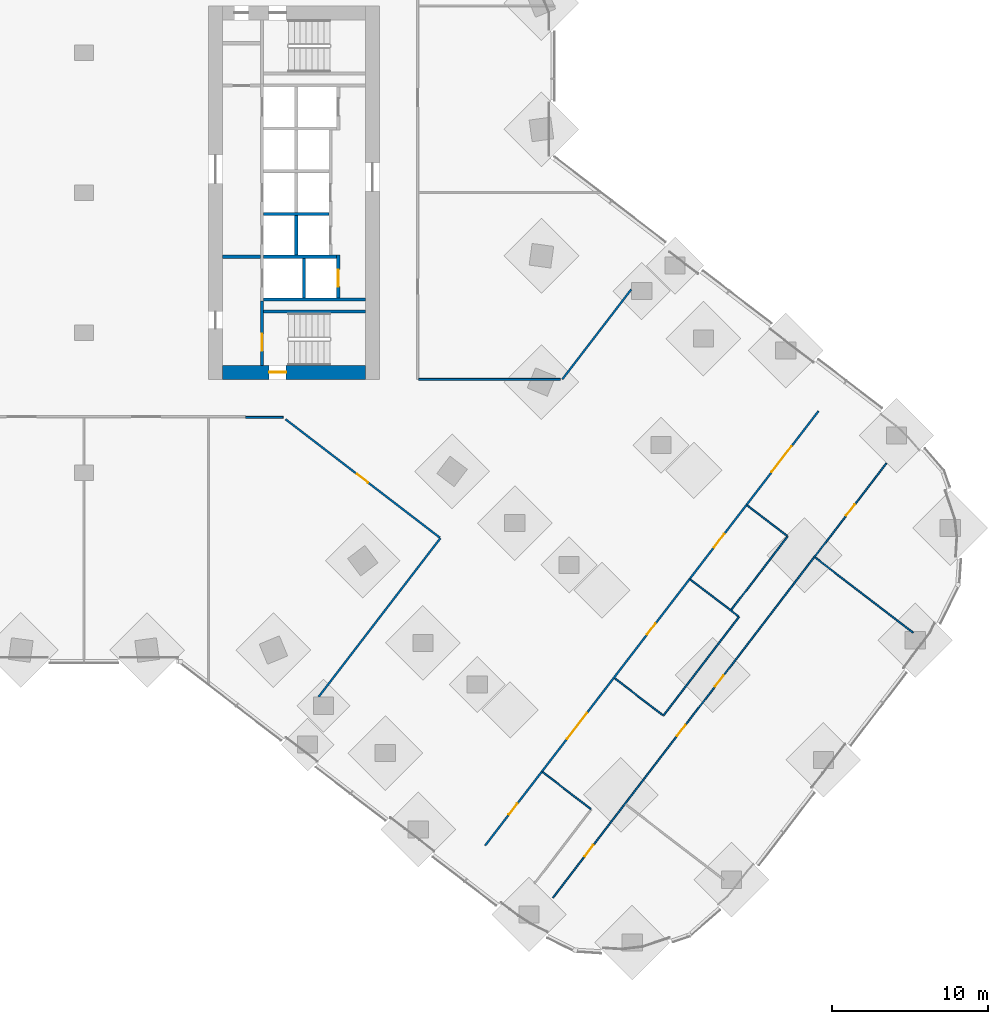
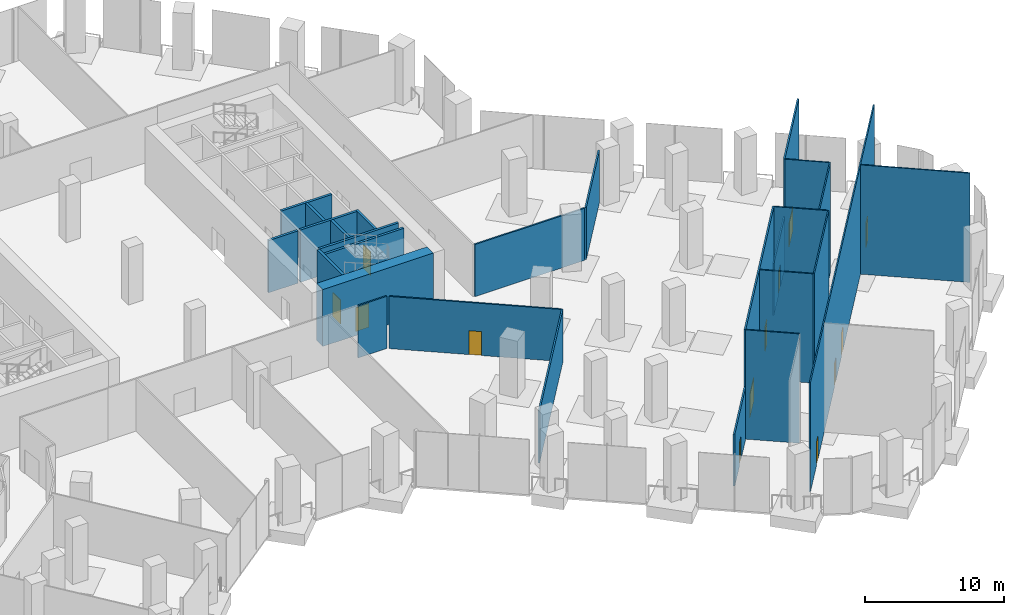
# One storey, part 21 of 27: 27 walls, 13 doors, 13 openings.
"""IFC4 building model written with IfcOpenShell, lengths in metres."""

from ifc_helpers import new_model, si_unit, direction, frame, frame_2d, origin, place, context, subcontext, project, spatial, rectangle, extrude, material, layer, layer_set, type_object, element, fill, save


model = new_model("IFC4")

# Units and contexts
model_context = context("Model", 3, precision=1e-05, world=origin(), true_north=direction((0.0, 1.0)))
body_context = subcontext(model_context, "Body", "Model", "MODEL_VIEW")
ifc_project = project(units=[si_unit("LENGTHUNIT", "METRE"), si_unit("AREAUNIT", "SQUARE_METRE"), si_unit("VOLUMEUNIT", "CUBIC_METRE"), si_unit("PLANEANGLEUNIT", "RADIAN"), si_unit("MASSUNIT", "GRAM", prefix="KILO")], contexts=[model_context])

# Site, building, storey
site_placement = place(None, origin())
site = spatial("IfcSite", under=ifc_project, at=site_placement, CompositionType="ELEMENT")
building_placement = place(site_placement, origin())
building = spatial("IfcBuilding", under=site, at=building_placement, Name="Orlundy Tower", CompositionType="ELEMENT")
storey_placement = place(building_placement, frame((0.0, 0.0, 10.5)))
storey = spatial("IfcBuildingStorey", under=building, at=storey_placement, Name="L01", CompositionType="ELEMENT", Elevation=10.5)

# Wall, opening, door
ifc_material_1 = material(Name="Concrete C80/95", Category="concrete")
ifc_layer_1 = layer(ifc_material_1, 0.89990234375)
ifc_layer_set_1 = layer_set([ifc_layer_1], Name="CORE WALL 900 C80/95")
wall_type_1 = type_object("IfcWallType", Name="CORE WALL 900 C80/95", PredefinedType="SHEAR", material=ifc_layer_set_1)
wall_1_placement = place(storey_placement, frame((8.89990234375, -11.550048828125, 0.0), z_axis=(0.0, 0.0, 1.0), x_axis=(1.0, 0.0, 0.0)))
wall_1 = element("IfcWall", 1, at=wall_1_placement, inside=storey, type_object=wall_type_1, Name="Core wall E-S L01", PredefinedType="SHEAR", context=body_context, shape_type="SweptSolid", body=[
    extrude(rectangle(XDim=9.2001953125, YDim=0.89990234375, at=frame_2d((4.60009765625, 0.0))), origin(), (0.0, 0.0, 1.0), 5.0),
])
opening_1_placement = place(wall_1_placement, frame((3.0, 0.0, 0.0)))
opening_1 = element("IfcOpeningElement", 2, at=opening_1_placement, cuts=wall_1, Name="Opening 02061", PredefinedType="OPENING", context=body_context, shape_type="SweptSolid", body=[
    extrude(rectangle(XDim=1.10009765625, YDim=2.10009765625, at=frame_2d((0.550048828125, 1.050048828125))), frame((0.0, 0.4599609375, 0.0), z_axis=(0.0, -1.0, 0.0), x_axis=(1.0, 0.0, 0.0)), (0.0, 0.0, 1.0), 0.919921875),
])
ifc_material_2 = material(Name="Steel door set", Category="steel")
door_type_1 = type_object("IfcDoorType", Name="Stair Door 1100x2100", OperationType="SINGLE_SWING_LEFT", PredefinedType="DOOR", material=ifc_material_2)
door_1_placement = place(opening_1_placement, origin())
door_1 = element("IfcDoor", 3, at=door_1_placement, inside=storey, type_object=door_type_1, Name="Stair door 02061", OperationType="SINGLE_SWING_LEFT", OverallHeight=2.10009765625, OverallWidth=1.10009765625, PredefinedType="DOOR", context=body_context, shape_type="SweptSolid", body=[
    extrude(rectangle(XDim=1.10009765625, YDim=2.10009765625, at=frame_2d((0.550048828125, 1.050048828125))), frame((0.0, 0.02490234375, 0.0), z_axis=(0.0, -1.0, 0.0), x_axis=(1.0, 0.0, 0.0)), (0.0, 0.0, 1.0), 0.050048828125),
])
fill(opening_1, door_1)

# Walls
ifc_material_3 = material(Name="Gypsum board partition")
ifc_layer_2 = layer(ifc_material_3, 0.10009765625)
ifc_layer_set_2 = layer_set([ifc_layer_2], Name="Floor partition 100 B")
wall_type_2 = type_object("IfcWallType", Name="Floor partition 100 B", PredefinedType="PARTITIONING", material=ifc_layer_set_2)
wall_2_placement = place(storey_placement, frame((29.48291015625, -37.2451171875, 0.0), z_axis=(0.0, 0.0, 1.0), x_axis=(0.793345324298, -0.608771875513, 0.0)))
element("IfcWall", 4, at=wall_2_placement, inside=storey, type_object=wall_type_2, Name="wall-int-L01-016", PredefinedType="PARTITIONING", context=body_context, shape_type="SweptSolid", body=[
    extrude(rectangle(XDim=3.884765625, YDim=0.10009765625, at=frame_2d((1.9423828125, 0.0))), origin(), (0.0, 0.0, 1.0), 9.60009765625),
])
for number, where, z_axis, x_axis, name in (
    (5, (34.110107421875, -31.215087890625, 0.0), (0.0, 0.0, 1.0), (0.793317087908, -0.608808671121, 0.0), "wall-int-L01-018"),
    (6, (38.97998046875, -24.867919921875, 0.0), (0.0, 0.0, 1.0), (0.793317087908, -0.608808671121, 0.0), "wall-int-L01-020"),
):
    element("IfcWall", number, at=place(storey_placement, frame(where, z_axis=z_axis, x_axis=x_axis)), inside=storey, type_object=wall_type_2, Name=name, PredefinedType="PARTITIONING", context=body_context, shape_type="SweptSolid", body=[
        extrude(rectangle(XDim=3.88623046875, YDim=0.10009765625, at=frame_2d((1.943115234375, 0.0))), origin(), (0.0, 0.0, 1.0), 9.60009765625),
    ])
wall_3_placement = place(storey_placement, frame((42.633056640625, -20.10791015625, 0.0), z_axis=(0.0, 0.0, 1.0), x_axis=(0.793055311334, -0.609149631178, 0.0)))
element("IfcWall", 7, at=wall_3_placement, inside=storey, type_object=wall_type_2, Name="wall-int-L01-021", PredefinedType="PARTITIONING", context=body_context, shape_type="SweptSolid", body=[
    extrude(rectangle(XDim=3.218017578125, YDim=0.10009765625, at=frame_2d((1.60888671875, 0.0))), origin(), (0.0, 0.0, 1.0), 9.60009765625),
])
wall_4_placement = place(storey_placement, frame((46.985107421875, -23.447998046875, 0.0), z_axis=(0.0, 0.0, 1.0), x_axis=(0.793314155102, -0.608812492738, 0.0)))
element("IfcWall", 8, at=wall_4_placement, inside=storey, type_object=wall_type_2, Name="wall-int-L01-022", PredefinedType="PARTITIONING", context=body_context, shape_type="SweptSolid", body=[
    extrude(rectangle(XDim=7.949951171875, YDim=0.10009765625, at=frame_2d((3.97509765625, 0.0))), origin(), (0.0, 0.0, 1.0), 9.60009765625),
])

# Wall, openings, doors
wall_5_placement = place(storey_placement, frame((51.571044921875, -17.39306640625, 0.0), z_axis=(0.0, 0.0, 1.0), x_axis=(-0.608824368929, -0.793305040825, 0.0)))
wall_5 = element("IfcWall", 9, at=wall_5_placement, inside=storey, type_object=wall_type_2, Name="wall-int-L01-052", PredefinedType="PARTITIONING", context=body_context, shape_type="SweptSolid", body=[
    extrude(rectangle(XDim=35.195556640625, YDim=0.10009765625, at=frame_2d((17.59765625, 0.0))), origin(), (0.0, 0.0, 1.0), 9.60009765625),
])
opening_2_placement = place(wall_5_placement, frame((21.196533203125, 0.0, 0.0)))
opening_2 = element("IfcOpeningElement", 10, at=opening_2_placement, cuts=wall_5, Name="Opening 02103", PredefinedType="OPENING", context=body_context, shape_type="SweptSolid", body=[
    extrude(rectangle(XDim=0.89990234375, YDim=2.10009765625, at=frame_2d((0.449951171875, 1.050048828125))), frame((0.0, 0.06005859375, 0.0), z_axis=(0.0, -1.0, 0.0), x_axis=(1.0, 0.0, 0.0)), (0.0, 0.0, 1.0), 0.1201171875),
])
opening_3_placement = place(wall_5_placement, frame((17.196533203125, 0.0, 0.0)))
opening_3 = element("IfcOpeningElement", 11, at=opening_3_placement, cuts=wall_5, Name="Opening 02104", PredefinedType="OPENING", context=body_context, shape_type="SweptSolid", body=[
    extrude(rectangle(XDim=0.89990234375, YDim=2.10009765625, at=frame_2d((0.449951171875, 1.050048828125))), frame((0.0, 0.06005859375, 0.0), z_axis=(0.0, -1.0, 0.0), x_axis=(1.0, 0.0, 0.0)), (0.0, 0.0, 1.0), 0.1201171875),
])
opening_4_placement = place(wall_5_placement, frame((30.9462890625, 0.0, 0.0)))
opening_4 = element("IfcOpeningElement", 12, at=opening_4_placement, cuts=wall_5, Name="Opening 02105", PredefinedType="OPENING", context=body_context, shape_type="SweptSolid", body=[
    extrude(rectangle(XDim=0.89990234375, YDim=2.10009765625, at=frame_2d((0.449951171875, 1.050048828125))), frame((0.0, 0.06005859375, 0.0), z_axis=(0.0, -1.0, 0.0), x_axis=(1.0, 0.0, 0.0)), (0.0, 0.0, 1.0), 0.1201171875),
])
opening_5_placement = place(wall_5_placement, frame((3.345947265625, 0.0, 0.0)))
opening_5 = element("IfcOpeningElement", 13, at=opening_5_placement, cuts=wall_5, Name="Opening 02106", PredefinedType="OPENING", context=body_context, shape_type="SweptSolid", body=[
    extrude(rectangle(XDim=0.89990234375, YDim=2.10009765625, at=frame_2d((0.449951171875, 1.050048828125))), frame((0.0, 0.06005859375, 0.0), z_axis=(0.0, -1.0, 0.0), x_axis=(1.0, 0.0, 0.0)), (0.0, 0.0, 1.0), 0.1201171875),
])
ifc_material_4 = material(Name="Timber door leaf", Category="wood")
door_type_2 = type_object("IfcDoorType", Name="Floor door single 900 FD30", OperationType="NOTDEFINED", PredefinedType="DOOR", material=ifc_material_4)
door_2_placement = place(opening_2_placement, origin())
door_2 = element("IfcDoor", 14, at=door_2_placement, inside=storey, type_object=door_type_2, Name="Door 02103", OperationType="SINGLE_SWING_RIGHT", OverallHeight=2.10009765625, OverallWidth=0.89990234375, PredefinedType="DOOR", context=body_context, shape_type="SweptSolid", body=[
    extrude(rectangle(XDim=0.89990234375, YDim=2.10009765625, at=frame_2d((0.449951171875, 1.050048828125))), frame((0.0, 0.02490234375, 0.0), z_axis=(0.0, -1.0, 0.0), x_axis=(1.0, 0.0, 0.0)), (0.0, 0.0, 1.0), 0.050048828125),
])
fill(opening_2, door_2)
door_3_placement = place(opening_3_placement, origin())
door_3 = element("IfcDoor", 15, at=door_3_placement, inside=storey, type_object=door_type_2, Name="Door 02104", OperationType="SINGLE_SWING_RIGHT", OverallHeight=2.10009765625, OverallWidth=0.89990234375, PredefinedType="DOOR", context=body_context, shape_type="SweptSolid", body=[
    extrude(rectangle(XDim=0.89990234375, YDim=2.10009765625, at=frame_2d((0.449951171875, 1.050048828125))), frame((0.0, 0.02490234375, 0.0), z_axis=(0.0, -1.0, 0.0), x_axis=(1.0, 0.0, 0.0)), (0.0, 0.0, 1.0), 0.050048828125),
])
fill(opening_3, door_3)
door_4_placement = place(opening_4_placement, origin())
door_4 = element("IfcDoor", 16, at=door_4_placement, inside=storey, type_object=door_type_2, Name="Door 02105", OperationType="SINGLE_SWING_RIGHT", OverallHeight=2.10009765625, OverallWidth=0.89990234375, PredefinedType="DOOR", context=body_context, shape_type="SweptSolid", body=[
    extrude(rectangle(XDim=0.89990234375, YDim=2.10009765625, at=frame_2d((0.449951171875, 1.050048828125))), frame((0.0, 0.02490234375, 0.0), z_axis=(0.0, -1.0, 0.0), x_axis=(1.0, 0.0, 0.0)), (0.0, 0.0, 1.0), 0.050048828125),
])
fill(opening_4, door_4)
door_5_placement = place(opening_5_placement, origin())
door_5 = element("IfcDoor", 17, at=door_5_placement, inside=storey, type_object=door_type_2, Name="Door 02106", OperationType="SINGLE_SWING_LEFT", OverallHeight=2.10009765625, OverallWidth=0.89990234375, PredefinedType="DOOR", context=body_context, shape_type="SweptSolid", body=[
    extrude(rectangle(XDim=0.89990234375, YDim=2.10009765625, at=frame_2d((0.449951171875, 1.050048828125))), frame((0.0, 0.02490234375, 0.0), z_axis=(0.0, -1.0, 0.0), x_axis=(1.0, 0.0, 0.0)), (0.0, 0.0, 1.0), 0.050048828125),
])
fill(opening_5, door_5)

# Walls
wall_6_placement = place(storey_placement, frame((37.23291015625, -33.611083984375, 0.0), z_axis=(0.0, 0.0, 1.0), x_axis=(0.608801811287, 0.793322352246, 0.0)))
element("IfcWall", 18, at=wall_6_placement, inside=storey, type_object=wall_type_2, Name="wall-int-L01-054", PredefinedType="PARTITIONING", context=body_context, shape_type="SweptSolid", body=[
    extrude(rectangle(XDim=7.99951171875, YDim=0.10009765625, at=frame_2d((3.999755859375, 0.0))), origin(), (0.0, 0.0, 1.0), 9.60009765625),
])
wall_7_placement = place(storey_placement, frame((41.60302734375, -26.818115234375, 0.0), z_axis=(0.0, 0.0, 1.0), x_axis=(0.608976730192, 0.793188087458, 0.0)))
element("IfcWall", 19, at=wall_7_placement, inside=storey, type_object=wall_type_2, Name="wall-int-L01-055", PredefinedType="PARTITIONING", context=body_context, shape_type="SweptSolid", body=[
    extrude(rectangle(XDim=5.949462890625, YDim=0.10009765625, at=frame_2d((2.974609375, 0.0))), origin(), (0.0, 0.0, 1.0), 9.60009765625),
])

# Wall, opening, door
ifc_material_5 = material(Name="Gypsum board partition, double layer")
ifc_layer_3 = layer(ifc_material_5, 0.125)
ifc_layer_set_3 = layer_set([ifc_layer_3], Name="Floor partition 125")
wall_type_3 = type_object("IfcWallType", Name="Floor partition 125", PredefinedType="PARTITIONING", material=ifc_layer_set_3)
wall_8_placement = place(storey_placement, frame((22.860107421875, -22.16796875, 0.0), z_axis=(0.0, 0.0, 1.0), x_axis=(-0.793328204451, 0.608794185274, 0.0)))
wall_8 = element("IfcWall", 20, at=wall_8_placement, inside=storey, type_object=wall_type_3, Name="wall-int-L01-019", PredefinedType="PARTITIONING", context=body_context, shape_type="SweptSolid", body=[
    extrude(rectangle(XDim=12.491943359375, YDim=0.125, at=frame_2d((6.24609375, 0.0))), origin(), (0.0, 0.0, 1.0), 4.580078125),
])
opening_6_placement = place(wall_8_placement, frame((5.78759765625, 0.0, 0.0)))
opening_6 = element("IfcOpeningElement", 21, at=opening_6_placement, cuts=wall_8, Name="Opening 02124", PredefinedType="OPENING", context=body_context, shape_type="SweptSolid", body=[
    extrude(rectangle(XDim=0.89990234375, YDim=2.10009765625, at=frame_2d((0.449951171875, 1.050048828125))), frame((0.0, 0.072509765625, 0.0), z_axis=(0.0, -1.0, 0.0), x_axis=(1.0, 0.0, 0.0)), (0.0, 0.0, 1.0), 0.14501953125),
])
ifc_material_6 = material(Name="Timber door leaf", Category="wood")
door_type_3 = type_object("IfcDoorType", Name="Floor door single 900 FD30S", OperationType="NOTDEFINED", PredefinedType="DOOR", material=ifc_material_6)
door_6_placement = place(opening_6_placement, origin())
door_6 = element("IfcDoor", 22, at=door_6_placement, inside=storey, type_object=door_type_3, Name="Door 02124", OperationType="SINGLE_SWING_LEFT", OverallHeight=2.10009765625, OverallWidth=0.89990234375, PredefinedType="DOOR", context=body_context, shape_type="SweptSolid", body=[
    extrude(rectangle(XDim=0.89990234375, YDim=2.10009765625, at=frame_2d((0.449951171875, 1.050048828125))), frame((0.0, 0.02490234375, 0.0), z_axis=(0.0, -1.0, 0.0), x_axis=(1.0, 0.0, 0.0)), (0.0, 0.0, 1.0), 0.050048828125),
])
fill(opening_6, door_6)

# Walls
wall_9_placement = place(storey_placement, frame((10.39111328125, -14.450927734375, 0.0), z_axis=(0.0, 0.0, 1.0), x_axis=(1.0, 0.0, 0.0)))
element("IfcWall", 23, at=wall_9_placement, inside=storey, type_object=wall_type_3, Name="wall-int-L01-025", PredefinedType="PARTITIONING", context=body_context, shape_type="SweptSolid", body=[
    extrude(rectangle(XDim=2.412841796875, YDim=0.125, at=frame_2d((1.20654296875, 0.0))), origin(), (0.0, 0.0, 1.0), 4.580078125),
])
wall_10_placement = place(storey_placement, frame((21.511962890625, -12.0, 0.0), z_axis=(0.0, 0.0, 1.0), x_axis=(1.0, 0.0, 0.0)))
element("IfcWall", 24, at=wall_10_placement, inside=storey, type_object=wall_type_3, Name="wall-int-L01-027", PredefinedType="PARTITIONING", context=body_context, shape_type="SweptSolid", body=[
    extrude(rectangle(XDim=9.10205078125, YDim=0.125, at=frame_2d((4.551025390625, 0.0))), origin(), (0.0, 0.0, 1.0), 4.580078125),
])

# Wall, opening, door
wall_11_placement = place(storey_placement, frame((29.43310546875, -37.20703125, 0.0), z_axis=(0.0, 0.0, 1.0), x_axis=(-0.608721107123, -0.793384278734, 0.0)))
wall_11 = element("IfcWall", 25, at=wall_11_placement, inside=storey, type_object=wall_type_3, Name="wall-int-L01-056", PredefinedType="PARTITIONING", context=body_context, shape_type="SweptSolid", body=[
    extrude(rectangle(XDim=5.99951171875, YDim=0.125, at=frame_2d((2.999755859375, 0.0))), origin(), (0.0, 0.0, 1.0), 4.580078125),
])
opening_7_placement = place(wall_11_placement, frame((2.60009765625, 0.0, 0.0)))
opening_7 = element("IfcOpeningElement", 26, at=opening_7_placement, cuts=wall_11, Name="Opening 02132", PredefinedType="OPENING", context=body_context, shape_type="SweptSolid", body=[
    extrude(rectangle(XDim=0.89990234375, YDim=2.10009765625, at=frame_2d((0.449951171875, 1.050048828125))), frame((0.0, 0.072509765625, 0.0), z_axis=(0.0, -1.0, 0.0), x_axis=(1.0, 0.0, 0.0)), (0.0, 0.0, 1.0), 0.14501953125),
])
door_7_placement = place(opening_7_placement, origin())
door_7 = element("IfcDoor", 27, at=door_7_placement, inside=storey, type_object=door_type_3, Name="Door 02132", OperationType="SINGLE_SWING_RIGHT", OverallHeight=2.10009765625, OverallWidth=0.89990234375, PredefinedType="DOOR", context=body_context, shape_type="SweptSolid", body=[
    extrude(rectangle(XDim=0.89990234375, YDim=2.10009765625, at=frame_2d((0.449951171875, 1.050048828125))), frame((0.0, 0.02490234375, 0.0), z_axis=(0.0, -1.0, 0.0), x_axis=(1.0, 0.0, 0.0)), (0.0, 0.0, 1.0), 0.050048828125),
])
fill(opening_7, door_7)

wall_12_placement = place(storey_placement, frame((42.58203125, -20.070068359375, 0.0), z_axis=(0.0, 0.0, 1.0), x_axis=(-0.608721107123, -0.793384278734, 0.0)))
wall_12 = element("IfcWall", 28, at=wall_12_placement, inside=storey, type_object=wall_type_3, Name="wall-int-L01-057", PredefinedType="PARTITIONING", context=body_context, shape_type="SweptSolid", body=[
    extrude(rectangle(XDim=5.99951171875, YDim=0.125, at=frame_2d((2.999755859375, 0.0))), origin(), (0.0, 0.0, 1.0), 4.580078125),
])
opening_8_placement = place(wall_12_placement, frame((2.35009765625, 0.0, 0.0)))
opening_8 = element("IfcOpeningElement", 29, at=opening_8_placement, cuts=wall_12, Name="Opening 02133", PredefinedType="OPENING", context=body_context, shape_type="SweptSolid", body=[
    extrude(rectangle(XDim=1.10009765625, YDim=2.10009765625, at=frame_2d((0.550048828125, 1.050048828125))), frame((0.0, 0.072509765625, 0.0), z_axis=(0.0, -1.0, 0.0), x_axis=(1.0, 0.0, 0.0)), (0.0, 0.0, 1.0), 0.14501953125),
])
ifc_material_7 = material(Name="Timber door leaf", Category="wood")
door_type_4 = type_object("IfcDoorType", Name="Floor door xwide 1100 FD30S", OperationType="NOTDEFINED", PredefinedType="DOOR", material=ifc_material_7)
door_8_placement = place(opening_8_placement, origin())
door_8 = element("IfcDoor", 30, at=door_8_placement, inside=storey, type_object=door_type_4, Name="Door 02133", OperationType="SINGLE_SWING_LEFT", OverallHeight=2.10009765625, OverallWidth=1.10009765625, PredefinedType="DOOR", context=body_context, shape_type="SweptSolid", body=[
    extrude(rectangle(XDim=1.10009765625, YDim=2.10009765625, at=frame_2d((0.550048828125, 1.050048828125))), frame((0.0, 0.02490234375, 0.0), z_axis=(0.0, -1.0, 0.0), x_axis=(1.0, 0.0, 0.0)), (0.0, 0.0, 1.0), 0.050048828125),
])
fill(opening_8, door_8)

# Walls
wall_13_placement = place(storey_placement, frame((15.077880859375, -32.412109375, 0.0), z_axis=(0.0, 0.0, 1.0), x_axis=(0.608793231938, 0.793328936033, 0.0)))
element("IfcWall", 31, at=wall_13_placement, inside=storey, type_object=wall_type_3, Name="wall-int-L01-060", PredefinedType="PARTITIONING", context=body_context, shape_type="SweptSolid", body=[
    extrude(rectangle(XDim=12.86474609375, YDim=0.125, at=frame_2d((6.432373046875, 0.0))), origin(), (0.0, 0.0, 1.0), 4.580078125),
])
wall_14_placement = place(storey_placement, frame((30.740966796875, -12.0, 0.0), z_axis=(0.0, 0.0, 1.0), x_axis=(0.608773631009, 0.793343977218, 0.0)))
element("IfcWall", 32, at=wall_14_placement, inside=storey, type_object=wall_type_3, Name="wall-int-L01-061", PredefinedType="PARTITIONING", context=body_context, shape_type="SweptSolid", body=[
    extrude(rectangle(XDim=7.280517578125, YDim=0.125, at=frame_2d((3.64013671875, 0.0))), origin(), (0.0, 0.0, 1.0), 4.580078125),
])

# Wall, openings, doors
ifc_material_8 = material(Name="Gypsum board partition, double layer")
ifc_layer_4 = layer(ifc_material_8, 0.125)
ifc_layer_set_4 = layer_set([ifc_layer_4], Name="Floor partition 125 B")
wall_type_4 = type_object("IfcWallType", Name="Floor partition 125 B", PredefinedType="PARTITIONING", material=ifc_layer_set_4)
wall_15_placement = place(storey_placement, frame((38.928955078125, -24.8310546875, 0.0), z_axis=(0.0, 0.0, 1.0), x_axis=(-0.608738381153, -0.793371025001, 0.0)))
wall_15 = element("IfcWall", 33, at=wall_15_placement, inside=storey, type_object=wall_type_4, Name="wall-int-L01-058", PredefinedType="PARTITIONING", context=body_context, shape_type="SweptSolid", body=[
    extrude(rectangle(XDim=15.59912109375, YDim=0.125, at=frame_2d((7.799560546875, 0.0))), origin(), (0.0, 0.0, 1.0), 9.60009765625),
])
opening_9_placement = place(wall_15_placement, frame((3.598876953125, 0.0, 0.0)))
opening_9 = element("IfcOpeningElement", 34, at=opening_9_placement, cuts=wall_15, Name="Opening 02100", PredefinedType="OPENING", context=body_context, shape_type="SweptSolid", body=[
    extrude(rectangle(XDim=0.89990234375, YDim=2.10009765625, at=frame_2d((0.449951171875, 1.050048828125))), frame((0.0, 0.072509765625, 0.0), z_axis=(0.0, -1.0, 0.0), x_axis=(1.0, 0.0, 0.0)), (0.0, 0.0, 1.0), 0.14501953125),
])
opening_10_placement = place(wall_15_placement, frame((10.84912109375, 0.0, 0.0)))
opening_10 = element("IfcOpeningElement", 35, at=opening_10_placement, cuts=wall_15, Name="Opening 02101", PredefinedType="OPENING", context=body_context, shape_type="SweptSolid", body=[
    extrude(rectangle(XDim=2.10009765625, YDim=2.10009765625, at=frame_2d((1.050048828125, 1.050048828125))), frame((0.0, 0.072509765625, 0.0), z_axis=(0.0, -1.0, 0.0), x_axis=(1.0, 0.0, 0.0)), (0.0, 0.0, 1.0), 0.14501953125),
])
ifc_material_9 = material(Name="Timber door leaf", Category="wood")
door_type_5 = type_object("IfcDoorType", Name="Floor door double 2100 FD30S", OperationType="NOTDEFINED", PredefinedType="DOOR", material=ifc_material_9)
door_9_placement = place(opening_10_placement, origin())
door_9 = element("IfcDoor", 36, at=door_9_placement, inside=storey, type_object=door_type_5, Name="Door 02101", OperationType="DOUBLE_DOOR_SINGLE_SWING", OverallHeight=2.10009765625, OverallWidth=2.10009765625, PredefinedType="DOOR", context=body_context, shape_type="SweptSolid", body=[
    extrude(rectangle(XDim=2.10009765625, YDim=2.10009765625, at=frame_2d((1.050048828125, 1.050048828125))), frame((0.0, 0.02490234375, 0.0), z_axis=(0.0, -1.0, 0.0), x_axis=(1.0, 0.0, 0.0)), (0.0, 0.0, 1.0), 0.050048828125),
])
fill(opening_10, door_9)
door_10_placement = place(opening_9_placement, origin())
door_10 = element("IfcDoor", 37, at=door_10_placement, inside=storey, type_object=door_type_3, Name="Door 02100", OperationType="SINGLE_SWING_LEFT", OverallHeight=2.10009765625, OverallWidth=0.89990234375, PredefinedType="DOOR", context=body_context, shape_type="SweptSolid", body=[
    extrude(rectangle(XDim=0.89990234375, YDim=2.10009765625, at=frame_2d((0.449951171875, 1.050048828125))), frame((0.0, 0.02490234375, 0.0), z_axis=(0.0, -1.0, 0.0), x_axis=(1.0, 0.0, 0.0)), (0.0, 0.0, 1.0), 0.050048828125),
])
fill(opening_9, door_10)

# Wall, opening, door
wall_16_placement = place(storey_placement, frame((47.208984375, -14.041015625, 0.0), z_axis=(0.0, 0.0, 1.0), x_axis=(-0.608738377563, -0.793371027756, 0.0)))
wall_16 = element("IfcWall", 38, at=wall_16_placement, inside=storey, type_object=wall_type_4, Name="wall-int-L01-059", PredefinedType="PARTITIONING", context=body_context, shape_type="SweptSolid", body=[
    extrude(rectangle(XDim=7.599365234375, YDim=0.125, at=frame_2d((3.7998046875, 0.0))), origin(), (0.0, 0.0, 1.0), 9.60009765625),
])
opening_11_placement = place(wall_16_placement, frame((2.85009765625, 0.0, 0.0)))
opening_11 = element("IfcOpeningElement", 39, at=opening_11_placement, cuts=wall_16, Name="Opening 02102", PredefinedType="OPENING", context=body_context, shape_type="SweptSolid", body=[
    extrude(rectangle(XDim=2.10009765625, YDim=2.10009765625, at=frame_2d((1.050048828125, 1.050048828125))), frame((0.0, 0.072509765625, 0.0), z_axis=(0.0, -1.0, 0.0), x_axis=(1.0, 0.0, 0.0)), (0.0, 0.0, 1.0), 0.14501953125),
])
door_11_placement = place(opening_11_placement, origin())
door_11 = element("IfcDoor", 40, at=door_11_placement, inside=storey, type_object=door_type_5, Name="Door 02102", OperationType="DOUBLE_DOOR_SINGLE_SWING", OverallHeight=2.10009765625, OverallWidth=2.10009765625, PredefinedType="DOOR", context=body_context, shape_type="SweptSolid", body=[
    extrude(rectangle(XDim=2.10009765625, YDim=2.10009765625, at=frame_2d((1.050048828125, 1.050048828125))), frame((0.0, 0.02490234375, 0.0), z_axis=(0.0, -1.0, 0.0), x_axis=(1.0, 0.0, 0.0)), (0.0, 0.0, 1.0), 0.050048828125),
])
fill(opening_11, door_11)

ifc_material_10 = material(Name="Concrete C40/50", Category="concrete")
ifc_layer_5 = layer(ifc_material_10, 0.199951171875)
ifc_layer_set_5 = layer_set([ifc_layer_5], Name="Load-bearing Shaft Wall 200")
wall_type_5 = type_object("IfcWallType", Name="Load-bearing Shaft Wall 200", PredefinedType="SOLIDWALL", material=ifc_layer_set_5)
wall_17_placement = place(storey_placement, frame((11.43994140625, -6.97509765625, 0.0), z_axis=(0.0, 0.0, 1.0), x_axis=(0.0, -1.0, 0.0)))
wall_17 = element("IfcWall", 41, at=wall_17_placement, inside=storey, type_object=wall_type_5, Name="Shaft wall E02-stair-end-n", PredefinedType="SOLIDWALL", context=body_context, shape_type="SweptSolid", body=[
    extrude(rectangle(XDim=4.125, YDim=0.199951171875, at=frame_2d((2.0625, 0.0))), origin(), (0.0, 0.0, 1.0), 4.590087890625),
])
opening_12_placement = place(wall_17_placement, frame((2.10009765625, 0.0, 0.0)))
opening_12 = element("IfcOpeningElement", 42, at=opening_12_placement, cuts=wall_17, Name="Opening 02063", PredefinedType="OPENING", context=body_context, shape_type="SweptSolid", body=[
    extrude(rectangle(XDim=1.10009765625, YDim=2.10009765625, at=frame_2d((0.550048828125, 1.050048828125))), frame((0.0, 0.110107421875, 0.0), z_axis=(0.0, -1.0, 0.0), x_axis=(1.0, 0.0, 0.0)), (0.0, 0.0, 1.0), 0.22021484375),
])
ifc_material_11 = material(Name="Steel door set", Category="steel")
door_type_6 = type_object("IfcDoorType", Name="Fire-fighting Lobby Door 1100x2100", OperationType="SINGLE_SWING_LEFT", PredefinedType="DOOR", material=ifc_material_11)
door_12_placement = place(opening_12_placement, origin())
door_12 = element("IfcDoor", 43, at=door_12_placement, inside=storey, type_object=door_type_6, Name="Fire-fighting lobby to stair door 02063", OperationType="SINGLE_SWING_RIGHT", OverallHeight=2.10009765625, OverallWidth=1.10009765625, PredefinedType="DOOR", context=body_context, shape_type="SweptSolid", body=[
    extrude(rectangle(XDim=1.10009765625, YDim=2.10009765625, at=frame_2d((0.550048828125, 1.050048828125))), frame((0.0, 0.02490234375, 0.0), z_axis=(0.0, -1.0, 0.0), x_axis=(1.0, 0.0, 0.0)), (0.0, 0.0, 1.0), 0.050048828125),
])
fill(opening_12, door_12)

# Walls
wall_18_placement = place(storey_placement, frame((11.5400390625, -7.64990234375, 0.0), z_axis=(0.0, 0.0, 1.0), x_axis=(1.0, 0.0, 0.0)))
element("IfcWall", 44, at=wall_18_placement, inside=storey, type_object=wall_type_5, Name="Shaft wall E02-stair-side-n", PredefinedType="SOLIDWALL", context=body_context, shape_type="SweptSolid", body=[
    extrude(rectangle(XDim=6.56005859375, YDim=0.199951171875, at=frame_2d((3.280029296875, 0.0))), origin(), (0.0, 0.0, 1.0), 4.590087890625),
])
ifc_material_12 = material(Name="Gypsum board partition on steel studs", Category="steel")
ifc_layer_6 = layer(ifc_material_12, 0.199951171875)
ifc_layer_set_6 = layer_set([ifc_layer_6], Name="Partition 200")
wall_type_6 = type_object("IfcWallType", Name="Partition 200", PredefinedType="PARTITIONING", material=ifc_layer_set_6)
wall_19_placement = place(storey_placement, frame((8.89990234375, -4.125, 0.0), z_axis=(0.0, 0.0, 1.0), x_axis=(1.0, 0.0, 0.0)))
element("IfcWall", 45, at=wall_19_placement, inside=storey, type_object=wall_type_6, Name="Partition wall E02-lobby-n", PredefinedType="PARTITIONING", context=body_context, shape_type="SweptSolid", body=[
    extrude(rectangle(XDim=2.440185546875, YDim=0.199951171875, at=frame_2d((1.22021484375, 0.0))), origin(), (0.0, 0.0, 1.0), 4.590087890625),
])
ifc_material_13 = material(Name="Fire-rated blockwork shaft wall", Category="masonry")
ifc_layer_7 = layer(ifc_material_13, 0.199951171875)
ifc_layer_set_7 = layer_set([ifc_layer_7], Name="Shaft Wall 200")
wall_type_7 = type_object("IfcWallType", Name="Shaft Wall 200", PredefinedType="SOLIDWALL", material=ifc_layer_set_7)
wall_20_placement = place(storey_placement, frame((11.5400390625, -6.875, 0.0), z_axis=(0.0, 0.0, 1.0), x_axis=(1.0, 0.0, 0.0)))
element("IfcWall", 46, at=wall_20_placement, inside=storey, type_object=wall_type_7, Name="Shaft wall E02-zone-n", PredefinedType="SOLIDWALL", context=body_context, shape_type="SweptSolid", body=[
    extrude(rectangle(XDim=6.56005859375, YDim=0.199951171875, at=frame_2d((3.280029296875, 0.0))), origin(), (0.0, 0.0, 1.0), 4.590087890625),
])
wall_21_placement = place(storey_placement, frame((11.5400390625, -1.375, 0.0), z_axis=(0.0, 0.0, 1.0), x_axis=(1.0, 0.0, 0.0)))
element("IfcWall", 47, at=wall_21_placement, inside=storey, type_object=wall_type_7, Name="Shaft wall E02-cross+1.375", PredefinedType="SOLIDWALL", context=body_context, shape_type="SweptSolid", body=[
    extrude(rectangle(XDim=4.199951171875, YDim=0.199951171875, at=frame_2d((2.10009765625, 0.0))), origin(), (0.0, 0.0, 1.0), 4.590087890625),
])
wall_22_placement = place(storey_placement, frame((11.5400390625, -4.125, 0.0), z_axis=(0.0, 0.0, 1.0), x_axis=(1.0, 0.0, 0.0)))
element("IfcWall", 48, at=wall_22_placement, inside=storey, type_object=wall_type_7, Name="Shaft wall E02-cross+4.125", PredefinedType="SOLIDWALL", context=body_context, shape_type="SweptSolid", body=[
    extrude(rectangle(XDim=4.699951171875, YDim=0.199951171875, at=frame_2d((2.35009765625, 0.0))), origin(), (0.0, 0.0, 1.0), 4.590087890625),
])
for number, where, z_axis, x_axis, name in (
    (49, (13.639892578125, -1.47509765625, 0.0), (0.0, 0.0, 1.0), (0.0, -1.0, 0.0), "Shaft wall E02-mid-a.3"),
    (50, (14.139892578125, -4.22509765625, 0.0), (0.0, 0.0, 1.0), (0.0, -1.0, 0.0), "Shaft wall E02-mid-b"),
):
    element("IfcWall", number, at=place(storey_placement, frame(where, z_axis=z_axis, x_axis=x_axis)), inside=storey, type_object=wall_type_7, Name=name, PredefinedType="SOLIDWALL", context=body_context, shape_type="SweptSolid", body=[
        extrude(rectangle(XDim=2.5498046875, YDim=0.199951171875, at=frame_2d((1.27490234375, 0.0))), origin(), (0.0, 0.0, 1.0), 4.590087890625),
    ])

# Wall, opening, door
wall_23_placement = place(storey_placement, frame((16.340087890625, -4.02490234375, 0.0), z_axis=(0.0, 0.0, 1.0), x_axis=(0.0, -1.0, 0.0)))
wall_23 = element("IfcWall", 51, at=wall_23_placement, inside=storey, type_object=wall_type_7, Name="Shaft wall E02-front-o-c", PredefinedType="SOLIDWALL", context=body_context, shape_type="SweptSolid", body=[
    extrude(rectangle(XDim=2.75, YDim=0.199951171875, at=frame_2d((1.375, 0.0))), origin(), (0.0, 0.0, 1.0), 4.590087890625),
])
opening_13_placement = place(wall_23_placement, frame((0.925048828125, 0.0, 0.0)))
opening_13 = element("IfcOpeningElement", 52, at=opening_13_placement, cuts=wall_23, Name="Opening 02057", PredefinedType="OPENING", context=body_context, shape_type="SweptSolid", body=[
    extrude(rectangle(XDim=1.10009765625, YDim=2.10009765625, at=frame_2d((0.550048828125, 1.050048828125))), frame((0.0, 0.110107421875, 0.0), z_axis=(0.0, -1.0, 0.0), x_axis=(1.0, 0.0, 0.0)), (0.0, 0.0, 1.0), 0.22021484375),
])
ifc_material_14 = material(Name="Steel door set", Category="steel")
door_type_7 = type_object("IfcDoorType", Name="Landing Door 1100x2100", OperationType="DOUBLE_DOOR_SLIDING", PredefinedType="DOOR", material=ifc_material_14)
door_13_placement = place(opening_13_placement, origin())
door_13 = element("IfcDoor", 53, at=door_13_placement, inside=storey, type_object=door_type_7, Name="Lift landing door LP-09 02057", OperationType="DOUBLE_DOOR_SLIDING", OverallHeight=2.10009765625, OverallWidth=1.10009765625, PredefinedType="DOOR", context=body_context, shape_type="SweptSolid", body=[
    extrude(rectangle(XDim=1.10009765625, YDim=2.10009765625, at=frame_2d((0.550048828125, 1.050048828125))), frame((0.0, 0.02490234375, 0.0), z_axis=(0.0, -1.0, 0.0), x_axis=(1.0, 0.0, 0.0)), (0.0, 0.0, 1.0), 0.050048828125),
])
fill(opening_13, door_13)

save(model, "model.ifc")
